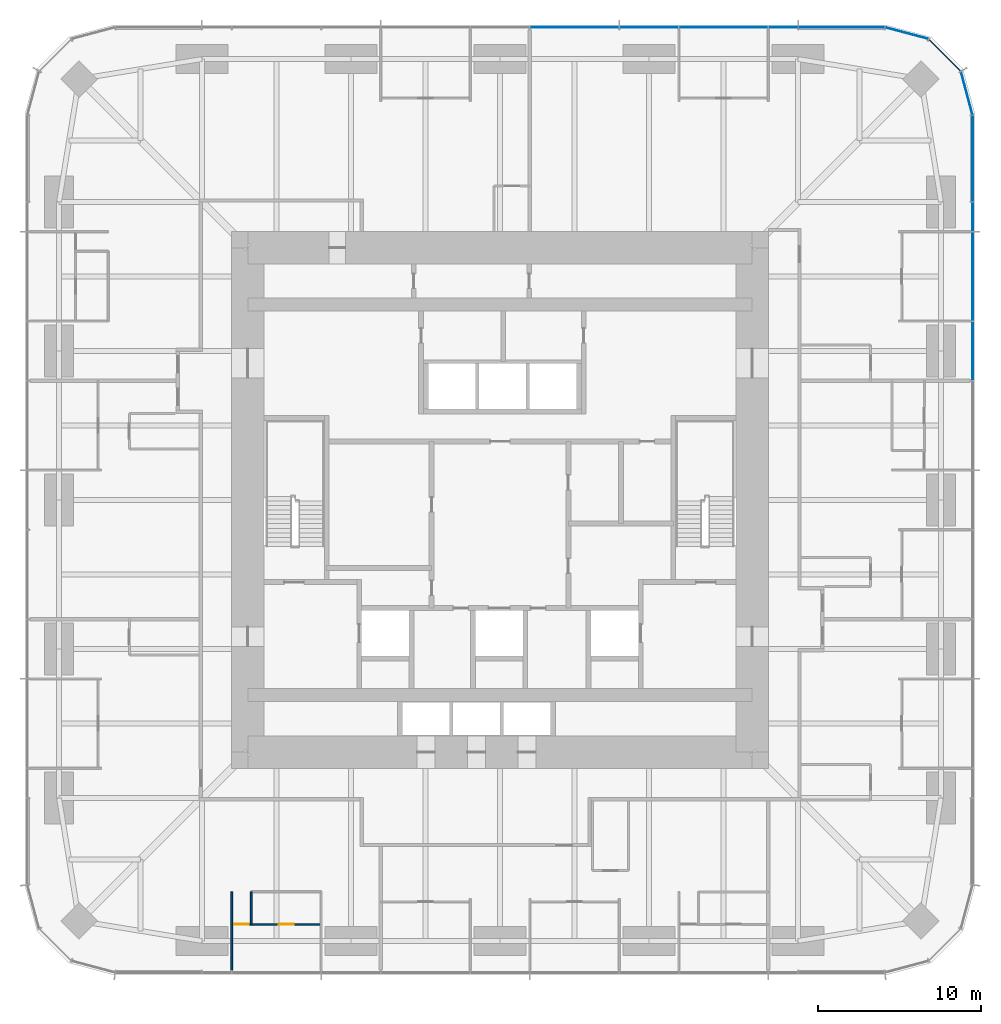
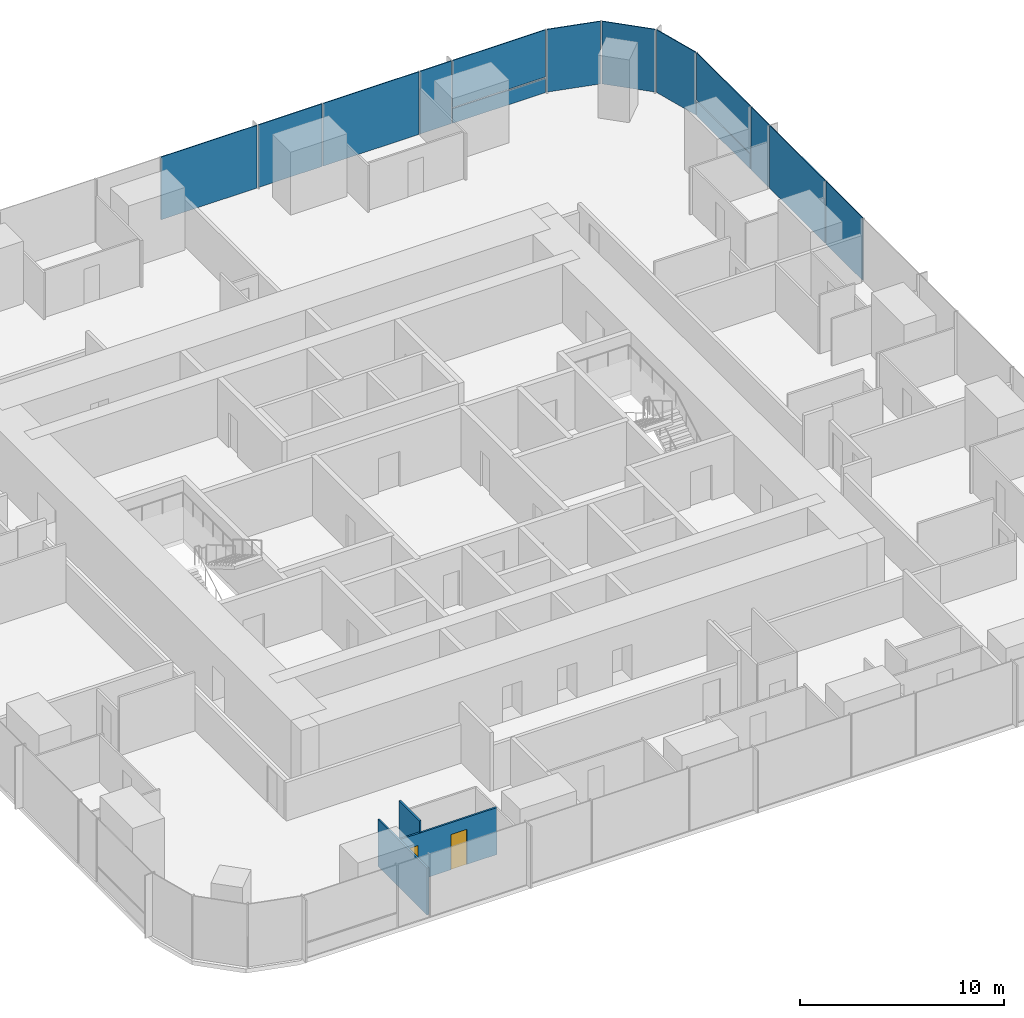
# One storey, part 8 of 13: 14 plates, 3 walls, 2 doors, 2 openings, 3 elements without a shape of their own.
"""IFC4 building model written with IfcOpenShell, lengths in metres."""

import ifcopenshell
import ifcopenshell.guid

model = None  # the IFC model being written
_history = None  # IfcOwnerHistory: only IFC2X3 demands one
_inside = {}  # id of a spatial element -> (the spatial element, [elements in it])
_under = {}  # id of a project, library or spatial element -> (it, [spatial elements below it])
_declared = {}  # id of a project -> (the project, [libraries it declares])
_typed = {}  # id of a type object -> (the type object, [elements of that type])
_made_of = {}  # id of a material, layer set ... -> (it, [elements and type objects made of it])


def new_model(schema):
    """Start an empty IFC model of exactly this schema.

    Asked for "IFC4X3", IfcOpenShell would pick the latest addendum, in which some entities
    have other attributes; the version numbers below select the first issue.
    IFC2X3 requires an IfcOwnerHistory on every rooted entity: one is made here for all.
    """
    global model, _history
    if schema == "IFC4X3":
        model = ifcopenshell.file(schema_version=(4, 3, 0, 0))
    else:
        model = ifcopenshell.file(schema=schema)
    _inside.clear()
    _under.clear()
    _declared.clear()
    _typed.clear()
    _made_of.clear()
    _history = None
    if model.schema == "IFC2X3":
        org = make("IfcOrganization", Name="unknown")
        user = make(
            "IfcPersonAndOrganization",
            ThePerson=make("IfcPerson", FamilyName="unknown"),
            TheOrganization=org,
        )
        app = make(
            "IfcApplication",
            ApplicationDeveloper=org,
            Version="unknown",
            ApplicationFullName="unknown",
            ApplicationIdentifier="unknown",
        )
        _history = make(
            "IfcOwnerHistory",
            OwningUser=user,
            OwningApplication=app,
            ChangeAction="ADDED",
            CreationDate=0,
        )
    return model


def make(cls, **values):
    """One entity of the class cls with the attributes given. An attribute that is None is left unset."""
    return model.create_entity(
        cls, **{name: value for name, value in values.items() if value is not None}
    )


def rooted(cls, **values):
    """An entity with a GlobalId (a new one), such as an element, a storey or a relation."""
    return make(cls, GlobalId=ifcopenshell.guid.new(), OwnerHistory=_history, **values)


def si_unit(unit_type, name, prefix=None):
    """IfcSIUnit, for example si_unit("LENGTHUNIT", "METRE", prefix="MILLI")."""
    return make("IfcSIUnit", UnitType=unit_type, Prefix=prefix, Name=name)


def assignment(units):
    """IfcUnitAssignment: the units of a project."""
    return None if units is None else make("IfcUnitAssignment", Units=units)


def point(xyz):
    """IfcCartesianPoint."""
    return None if xyz is None else make("IfcCartesianPoint", Coordinates=xyz)


def direction(xyz):
    """IfcDirection."""
    return None if xyz is None else make("IfcDirection", DirectionRatios=xyz)


def frame(location, z_axis=None, x_axis=None):
    """IfcAxis2Placement3D, a coordinate frame: its origin and axes. An axis left out is left unset."""
    return make(
        "IfcAxis2Placement3D",
        Location=point(location),
        Axis=direction(z_axis),
        RefDirection=direction(x_axis),
    )


def frame_2d(location, x_axis=None):
    """IfcAxis2Placement2D, a coordinate frame in the plane: its origin and x axis."""
    return make(
        "IfcAxis2Placement2D", Location=point(location), RefDirection=direction(x_axis)
    )


def origin():
    """The frame at (0, 0, 0) with its axes left unset."""
    return frame((0.0, 0.0, 0.0))


def origin_2d():
    """The frame at (0, 0) in the plane with its x axis left unset."""
    return frame_2d((0.0, 0.0))


def place(relative_to, where):
    """IfcLocalPlacement: puts the frame where relative to a parent placement (None: the world)."""
    return make(
        "IfcLocalPlacement", PlacementRelTo=relative_to, RelativePlacement=where
    )


def context(
    kind, dimensions, precision=None, world=None, true_north=None, identifier=None
):
    """IfcGeometricRepresentationContext, for example the 3D "Model" context."""
    return make(
        "IfcGeometricRepresentationContext",
        ContextIdentifier=identifier,
        ContextType=kind,
        CoordinateSpaceDimension=dimensions,
        Precision=precision,
        WorldCoordinateSystem=world,
        TrueNorth=true_north,
    )


def subcontext(parent, identifier, kind, view, scale=None):
    """IfcGeometricRepresentationSubContext, for example "Body" below "Model"."""
    return make(
        "IfcGeometricRepresentationSubContext",
        ContextIdentifier=identifier,
        ContextType=kind,
        ParentContext=parent,
        TargetScale=scale,
        TargetView=view,
    )


def project(units=None, contexts=None):
    """IfcProject with its units and contexts."""
    return rooted(
        "IfcProject",
        Name="project",
        RepresentationContexts=contexts,
        UnitsInContext=assignment(units),
    )


def spatial(cls, under=None, at=None, **own):
    """A site, building, storey or space (cls), placed at a placement, below another one or the project."""
    s = rooted(cls, ObjectPlacement=at, **own)
    if under is not None:
        _under.setdefault(under.id(), (under, []))[1].append(s)
    return s


def profile(cls, at=None, kind="AREA", **sizes):
    """A parametric profile (cls). Its sizes go by their IFC names, for example OverallWidth=200.0."""
    return make(cls, ProfileType=kind, Position=at, **sizes)


def rectangle(**sizes):
    """IfcRectangleProfileDef."""
    return profile("IfcRectangleProfileDef", **sizes)


def extrude(swept, where, along, depth):
    """IfcExtrudedAreaSolid: the profile swept, set in the frame where, extruded along a direction by depth."""
    return make(
        "IfcExtrudedAreaSolid",
        SweptArea=swept,
        Position=where,
        ExtrudedDirection=direction(along),
        Depth=depth,
    )


def shape(context_of_items, identifier, shape_type, items):
    """IfcShapeRepresentation: the items that make up one representation, for example the "Body"."""
    return make(
        "IfcShapeRepresentation",
        ContextOfItems=context_of_items,
        RepresentationIdentifier=identifier,
        RepresentationType=shape_type,
        Items=items,
    )


def material(Name=None, Category=None):
    """IfcMaterial."""
    return make("IfcMaterial", Name=Name, Category=Category)


def layer(
    of_material, thickness, ventilated=None, Name=None, Category=None, Priority=None
):
    """IfcMaterialLayer: one layer of a wall or slab, of a material (None: an air gap)."""
    return make(
        "IfcMaterialLayer",
        Material=of_material,
        LayerThickness=thickness,
        IsVentilated=ventilated,
        Name=Name,
        Category=Category,
        Priority=Priority,
    )


def layer_set(layers, Name=None):
    """IfcMaterialLayerSet."""
    return make("IfcMaterialLayerSet", MaterialLayers=layers, LayerSetName=Name)


def made_of(thing, what):
    """Note that an element or type object is made of a material, layer set ...; save() writes the relation."""
    if what is not None:
        _made_of.setdefault(what.id(), (what, []))[1].append(thing)
    return thing


def type_object(cls, material=None, **own):
    """A type object (cls), such as IfcWallType, which elements share."""
    return made_of(rooted(cls, **own), material)


def element(
    cls,
    number,
    at=None,
    inside=None,
    cuts=None,
    type_object=None,
    material=None,
    context=None,
    identifier="Body",
    shape_type=None,
    held_by="IfcProductDefinitionShape",
    body=None,
    shapes=None,
    **own,
):
    """One element of the class cls, such as IfcWall. Its Tag is "e" and its number.

    at: its placement. inside: the storey or other place that contains it. cuts: it is an
    opening in that element (IfcRelVoidsElement). A single representation is given by context,
    identifier, shape_type and body (its items); several are given by shapes. held_by: the class
    of the entity that holds the representations. save() writes the other relations.
    """
    e = rooted(cls, Tag="e%d" % number, ObjectPlacement=at, **own)
    if body is not None:
        shapes = [shape(context, identifier, shape_type, body)]
    if shapes is not None:
        e.Representation = make(held_by, Representations=shapes)
    if inside is not None:
        _inside.setdefault(inside.id(), (inside, []))[1].append(e)
    if cuts is not None:
        rooted(
            "IfcRelVoidsElement", RelatingBuildingElement=cuts, RelatedOpeningElement=e
        )
    if type_object is not None:
        _typed.setdefault(type_object.id(), (type_object, []))[1].append(e)
    return made_of(e, material)


def fill(opening, filler):
    """IfcRelFillsElement: the door or window that sits in an opening."""
    return rooted(
        "IfcRelFillsElement",
        RelatingOpeningElement=opening,
        RelatedBuildingElement=filler,
    )


def aggregate(whole, parts):
    """IfcRelAggregates: a whole, such as a stair, and the parts it consists of."""
    return rooted("IfcRelAggregates", RelatingObject=whole, RelatedObjects=parts)


def save(model, path):
    """Write the relations noted so far, then the file.

    IfcRelAggregates (storeys below a building ...), IfcRelContainedInSpatialStructure (elements
    in a storey), IfcRelDefinesByType, IfcRelAssociatesMaterial and IfcRelDeclares: one each for
    every whole, place, type object, material and project.
    """
    for whole, parts in _under.values():
        aggregate(whole, parts)
    for where, things in _inside.values():
        rooted(
            "IfcRelContainedInSpatialStructure",
            RelatedElements=things,
            RelatingStructure=where,
        )
    for kind, things in _typed.values():
        rooted("IfcRelDefinesByType", RelatedObjects=things, RelatingType=kind)
    for what, things in _made_of.values():
        rooted("IfcRelAssociatesMaterial", RelatedObjects=things, RelatingMaterial=what)
    for by, libraries in _declared.values():
        rooted("IfcRelDeclares", RelatingContext=by, RelatedDefinitions=libraries)
    model.write(path)


model = new_model("IFC4")

# Units and contexts
model_context = context("Model", 3, precision=1e-05, world=origin(), true_north=direction((0.0, 1.0)))
body_context = subcontext(model_context, "Body", "Model", "MODEL_VIEW")
ifc_project = project(units=[si_unit("LENGTHUNIT", "METRE"), si_unit("AREAUNIT", "SQUARE_METRE"), si_unit("VOLUMEUNIT", "CUBIC_METRE"), si_unit("PLANEANGLEUNIT", "RADIAN"), si_unit("MASSUNIT", "GRAM", prefix="KILO")], contexts=[model_context])

# Site, building, storey
site_placement = place(None, origin())
site = spatial("IfcSite", under=ifc_project, at=site_placement, CompositionType="ELEMENT")
building_placement = place(site_placement, origin())
building = spatial("IfcBuilding", under=site, at=building_placement, Name="Khuree Lantern Residences", CompositionType="ELEMENT")
storey_placement = place(building_placement, frame((0.0, 0.0, 122.25)))
storey = spatial("IfcBuildingStorey", under=building, at=storey_placement, Name="L30", CompositionType="ELEMENT", Elevation=122.25)

# Curtain wall, plates
ifc_material_1 = material(Name="Bronze anodised aluminium", Category="aluminium")
curtain_wall_type_1 = type_object("IfcCurtainWallType", Name="CW-T2 TOWER CORNER CURTAIN WALL", PredefinedType="USERDEFINED", material=ifc_material_1)
curtain_wall_1_placement = place(storey_placement, origin())
curtain_wall_1 = element("IfcCurtainWall", 1, at=curtain_wall_1_placement, inside=storey, type_object=curtain_wall_type_1, Name="L30 NORTH-EAST CORNER CURTAIN WALL", ObjectType="Faceted corner curtain wall", PredefinedType="USERDEFINED")
ifc_material_2 = material(Name="Bronze tinted triple glazing", Category="glass")
ifc_layer_1 = layer(ifc_material_2, 0.048095703125)
ifc_layer_set_1 = layer_set([ifc_layer_1], Name="FACET PANEL P4")
plate_type_1 = type_object("IfcPlateType", Name="FACET PANEL P4", PredefinedType="CURTAIN_PANEL", material=ifc_layer_set_1)
plate_1_placement = place(storey_placement, frame((28.688720703125, 24.998046875, 0.0), z_axis=(0.0, 0.0, 1.0), x_axis=(-0.258819105321, 0.965925810153, 0.0)))
plate_1 = element("IfcPlate", 2, at=plate_1_placement, type_object=plate_type_1, Name="L30 NORTH-EAST CORNER PANEL 15.1", PredefinedType="CURTAIN_PANEL", context=body_context, shape_type="SweptSolid", body=[
    extrude(rectangle(XDim=2.71923828125, YDim=0.048095703125, at=origin_2d()), origin(), (0.0, 0.0, 1.0), 3.75),
])
plate_2_placement = place(storey_placement, frame((27.33837890625, 27.33837890625, 0.0), z_axis=(0.0, 0.0, 1.0), x_axis=(-0.707106781187, 0.707106781187, 0.0)))
plate_2 = element("IfcPlate", 3, at=plate_2_placement, type_object=plate_type_1, Name="L30 NORTH-EAST CORNER PANEL 16.1", PredefinedType="CURTAIN_PANEL", context=body_context, shape_type="SweptSolid", body=[
    extrude(rectangle(XDim=2.715087890625, YDim=0.048095703125, at=origin_2d()), origin(), (0.0, 0.0, 1.0), 3.75),
])
plate_3_placement = place(storey_placement, frame((24.998046875, 28.688720703125, 0.0), z_axis=(0.0, 0.0, 1.0), x_axis=(-0.965925810153, 0.258819105321, 0.0)))
plate_3 = element("IfcPlate", 4, at=plate_3_placement, type_object=plate_type_1, Name="L30 NORTH-EAST CORNER PANEL 17.1", PredefinedType="CURTAIN_PANEL", context=body_context, shape_type="SweptSolid", body=[
    extrude(rectangle(XDim=2.71923828125, YDim=0.048095703125, at=origin_2d()), origin(), (0.0, 0.0, 1.0), 3.75),
])
aggregate(curtain_wall_1, [plate_1, plate_2, plate_3])

# Curtain wall, plate
curtain_wall_type_2 = type_object("IfcCurtainWallType", Name="CW-T1 TOWER FACE CURTAIN WALL", PredefinedType="USERDEFINED", material=ifc_material_1)
curtain_wall_2_placement = place(storey_placement, origin())
curtain_wall_2 = element("IfcCurtainWall", 5, at=curtain_wall_2_placement, inside=storey, type_object=curtain_wall_type_2, Name="L30 EAST FACE CURTAIN WALL", ObjectType="Stick-built curtain wall", PredefinedType="USERDEFINED")
ifc_material_3 = material(Name="Bronze tinted triple glazing with a ceramic-fritted spandrel band", Category="glass")
ifc_layer_2 = layer(ifc_material_3, 0.048095703125)
ifc_layer_set_2 = layer_set([ifc_layer_2], Name="FIXED LIGHT PANEL P11")
plate_type_2 = type_object("IfcPlateType", Name="FIXED LIGHT PANEL P11", PredefinedType="CURTAIN_PANEL", material=ifc_layer_set_2)
plate_4_placement = place(storey_placement, frame((29.050048828125, 13.739990234375, 0.0), z_axis=(0.0, 0.0, 1.0), x_axis=(0.0, 1.0, 0.0)))
plate_4 = element("IfcPlate", 6, at=plate_4_placement, type_object=plate_type_2, Name="L30 EAST FACE PANEL 12.1", PredefinedType="CURTAIN_PANEL", context=body_context, shape_type="SweptSolid", body=[
    extrude(rectangle(XDim=5.430908203125, YDim=0.048095703125, at=origin_2d()), origin(), (0.0, 0.0, 1.0), 3.75),
])

# Curtain wall, plates
curtain_wall_3_placement = place(storey_placement, origin())
curtain_wall_3 = element("IfcCurtainWall", 7, at=curtain_wall_3_placement, inside=storey, type_object=curtain_wall_type_2, Name="L30 NORTH FACE CURTAIN WALL", ObjectType="Stick-built curtain wall", PredefinedType="USERDEFINED")
plate_5_placement = place(storey_placement, frame((13.739990234375, 29.050048828125, 0.0), z_axis=(0.0, 0.0, 1.0), x_axis=(-1.0, 0.0, 0.0)))
plate_5 = element("IfcPlate", 8, at=plate_5_placement, type_object=plate_type_2, Name="L30 NORTH FACE PANEL 20.1", PredefinedType="CURTAIN_PANEL", context=body_context, shape_type="SweptSolid", body=[
    extrude(rectangle(XDim=5.430908203125, YDim=0.048095703125, at=origin_2d()), origin(), (0.0, 0.0, 1.0), 3.75),
])
plate_6_placement = place(storey_placement, frame((4.580078125, 29.050048828125, 0.0), z_axis=(0.0, 0.0, 1.0), x_axis=(-1.0, 0.0, 0.0)))
plate_6 = element("IfcPlate", 9, at=plate_6_placement, type_object=plate_type_2, Name="L30 NORTH FACE PANEL 22.1", PredefinedType="CURTAIN_PANEL", context=body_context, shape_type="SweptSolid", body=[
    extrude(rectangle(XDim=5.430908203125, YDim=0.048095703125, at=origin_2d()), origin(), (0.0, 0.0, 1.0), 3.75),
])

# Plate
ifc_material_4 = material(Name="Bronze tinted triple glazing, two aluminium-framed sashes in one frame", Category="aluminium")
ifc_layer_3 = layer(ifc_material_4, 0.048095703125)
ifc_layer_set_3 = layer_set([ifc_layer_3], Name="SASH PAIR PANEL P12")
plate_type_3 = type_object("IfcPlateType", Name="SASH PAIR PANEL P12", PredefinedType="CURTAIN_PANEL", material=ifc_layer_set_3)
plate_7_placement = place(storey_placement, frame((29.050048828125, 9.159912109375, 0.0), z_axis=(0.0, 0.0, 1.0), x_axis=(0.0, 1.0, 0.0)))
plate_7 = element("IfcPlate", 10, at=plate_7_placement, type_object=plate_type_3, Name="L30 EAST FACE PANEL 11.1", PredefinedType="CURTAIN_PANEL", context=body_context, shape_type="SweptSolid", body=[
    extrude(rectangle(XDim=3.59912109375, YDim=0.048095703125, at=origin_2d()), origin(), (0.0, 0.0, 1.0), 3.75),
])

plate_8_placement = place(storey_placement, frame((9.159912109375, 29.050048828125, 0.0), z_axis=(0.0, 0.0, 1.0), x_axis=(-1.0, 0.0, 0.0)))
plate_8 = element("IfcPlate", 11, at=plate_8_placement, type_object=plate_type_3, Name="L30 NORTH FACE PANEL 21.1", PredefinedType="CURTAIN_PANEL", context=body_context, shape_type="SweptSolid", body=[
    extrude(rectangle(XDim=3.59912109375, YDim=0.048095703125, at=origin_2d()), origin(), (0.0, 0.0, 1.0), 3.75),
])

ifc_material_5 = material(Name="Bronze tinted triple glazing, aluminium-framed sash", Category="aluminium")
ifc_layer_4 = layer(ifc_material_5, 0.048095703125)
ifc_layer_set_4 = layer_set([ifc_layer_4], Name="SASH PANEL P3")
plate_type_4 = type_object("IfcPlateType", Name="SASH PANEL P3", PredefinedType="CURTAIN_PANEL", material=ifc_layer_set_4)
plate_9_placement = place(storey_placement, frame((29.050048828125, 17.404052734375, 0.0), z_axis=(0.0, 0.0, 1.0), x_axis=(0.0, 1.0, 0.0)))
plate_9 = element("IfcPlate", 12, at=plate_9_placement, type_object=plate_type_4, Name="L30 EAST FACE PANEL 13.1", PredefinedType="CURTAIN_PANEL", context=body_context, shape_type="SweptSolid", body=[
    extrude(rectangle(XDim=1.76708984375, YDim=0.048095703125, at=origin_2d()), origin(), (0.0, 0.0, 1.0), 3.75),
])

plate_10_placement = place(storey_placement, frame((17.404052734375, 29.050048828125, 0.0), z_axis=(0.0, 0.0, 1.0), x_axis=(-1.0, 0.0, 0.0)))
plate_10 = element("IfcPlate", 13, at=plate_10_placement, type_object=plate_type_4, Name="L30 NORTH FACE PANEL 19.1", PredefinedType="CURTAIN_PANEL", context=body_context, shape_type="SweptSolid", body=[
    extrude(rectangle(XDim=1.76708984375, YDim=0.048095703125, at=origin_2d()), origin(), (0.0, 0.0, 1.0), 3.75),
])

ifc_material_6 = material(Name="Bronze anodised aluminium insulated spandrel", Category="aluminium")
ifc_layer_5 = layer(ifc_material_6, 0.06005859375)
ifc_layer_set_5 = layer_set([ifc_layer_5], Name="SPANDREL PANEL P2")
plate_type_5 = type_object("IfcPlateType", Name="SPANDREL PANEL P2", PredefinedType="CURTAIN_PANEL", material=ifc_layer_set_5)
plate_11_placement = place(storey_placement, frame((29.050048828125, 20.98291015625, 0.0), z_axis=(0.0, 0.0, 1.0), x_axis=(0.0, 1.0, 0.0)))
plate_11 = element("IfcPlate", 14, at=plate_11_placement, type_object=plate_type_5, Name="L30 EAST FACE PANEL 14.1", PredefinedType="CURTAIN_PANEL", context=body_context, shape_type="SweptSolid", body=[
    extrude(rectangle(XDim=5.2607421875, YDim=0.06005859375, at=origin_2d()), origin(), (0.0, 0.0, 1.0), 0.867431640625),
])

plate_12_placement = place(storey_placement, frame((20.98291015625, 29.050048828125, 0.0), z_axis=(0.0, 0.0, 1.0), x_axis=(-1.0, 0.0, 0.0)))
plate_12 = element("IfcPlate", 15, at=plate_12_placement, type_object=plate_type_5, Name="L30 NORTH FACE PANEL 18.1", PredefinedType="CURTAIN_PANEL", context=body_context, shape_type="SweptSolid", body=[
    extrude(rectangle(XDim=5.2607421875, YDim=0.06005859375, at=origin_2d()), origin(), (0.0, 0.0, 1.0), 0.867431640625),
])

ifc_layer_6 = layer(ifc_material_2, 0.048095703125)
ifc_layer_set_6 = layer_set([ifc_layer_6], Name="VISION PANEL P1")
plate_type_6 = type_object("IfcPlateType", Name="VISION PANEL P1", PredefinedType="CURTAIN_PANEL", material=ifc_layer_set_6)
plate_13_placement = place(storey_placement, frame((29.050048828125, 20.9833984375, 0.9326171875), z_axis=(0.0, 0.0, 1.0), x_axis=(0.0, 1.0, 0.0)))
plate_13 = element("IfcPlate", 16, at=plate_13_placement, type_object=plate_type_6, Name="L30 EAST FACE PANEL 14.2", PredefinedType="CURTAIN_PANEL", context=body_context, shape_type="SweptSolid", body=[
    extrude(rectangle(XDim=5.261474609375, YDim=0.048095703125, at=origin_2d()), origin(), (0.0, 0.0, 1.0), 2.8173828125),
])

aggregate(curtain_wall_2, [plate_7, plate_4, plate_9, plate_11, plate_13])

plate_14_placement = place(storey_placement, frame((20.9833984375, 29.050048828125, 0.9326171875), z_axis=(0.0, 0.0, 1.0), x_axis=(-1.0, 0.0, 0.0)))
plate_14 = element("IfcPlate", 17, at=plate_14_placement, type_object=plate_type_6, Name="L30 NORTH FACE PANEL 18.2", PredefinedType="CURTAIN_PANEL", context=body_context, shape_type="SweptSolid", body=[
    extrude(rectangle(XDim=5.261474609375, YDim=0.048095703125, at=origin_2d()), origin(), (0.0, 0.0, 1.0), 2.8173828125),
])

aggregate(curtain_wall_3, [plate_12, plate_14, plate_10, plate_5, plate_8, plate_6])

# Wall
ifc_material_7 = material(Name="Gypsum board on steel studs", Category="steel")
ifc_layer_7 = layer(ifc_material_7, 0.10009765625)
ifc_layer_set_7 = layer_set([ifc_layer_7], Name="PARTITION PT100")
wall_type = type_object("IfcWallType", Name="PARTITION PT100", PredefinedType="PARTITIONING", material=ifc_layer_set_7)
wall_1_placement = place(storey_placement, frame((-16.488037109375, -24.079833984375, 0.0), z_axis=(0.0, 0.0, 1.0), x_axis=(0.0, -1.0, 0.0)))
element("IfcWall", 18, at=wall_1_placement, inside=storey, type_object=wall_type, Name="L30 PARTITION 05", PredefinedType="PARTITIONING", context=body_context, shape_type="SweptSolid", body=[
    extrude(rectangle(XDim=4.820068359375, YDim=0.10009765625, at=frame_2d((2.41015625, 0.0))), origin(), (0.0, 0.0, 1.0), 2.81005859375),
])

# Wall, openings, doors
wall_2_placement = place(storey_placement, frame((-16.488037109375, -26.079833984375, 0.0), z_axis=(0.0, 0.0, 1.0), x_axis=(1.0, 0.0, 0.0)))
wall_2 = element("IfcWall", 19, at=wall_2_placement, inside=storey, type_object=wall_type, Name="L30 PARTITION 05", PredefinedType="PARTITIONING", context=body_context, shape_type="SweptSolid", body=[
    extrude(rectangle(XDim=5.49609375, YDim=0.10009765625, at=frame_2d((2.748046875, 0.0))), origin(), (0.0, 0.0, 1.0), 2.81005859375),
])
opening_1_placement = place(wall_2_placement, frame((0.14990234375, 0.0, 0.0)))
opening_1 = element("IfcOpeningElement", 20, at=opening_1_placement, cuts=wall_2, Name="Opening 30-044", PredefinedType="OPENING", context=body_context, shape_type="SweptSolid", body=[
    extrude(rectangle(XDim=0.89990234375, YDim=2.10009765625, at=frame_2d((0.449951171875, 1.050048828125))), frame((0.0, 0.06005859375, 0.0), z_axis=(0.0, -1.0, 0.0), x_axis=(1.0, 0.0, 0.0)), (0.0, 0.0, 1.0), 0.1201171875),
])
opening_2_placement = place(wall_2_placement, frame((2.89794921875, 0.0, 0.0)))
opening_2 = element("IfcOpeningElement", 21, at=opening_2_placement, cuts=wall_2, Name="Opening 30-045", PredefinedType="OPENING", context=body_context, shape_type="SweptSolid", body=[
    extrude(rectangle(XDim=0.89990234375, YDim=2.10009765625, at=frame_2d((0.449951171875, 1.050048828125))), frame((0.0, 0.06005859375, 0.0), z_axis=(0.0, -1.0, 0.0), x_axis=(1.0, 0.0, 0.0)), (0.0, 0.0, 1.0), 0.1201171875),
])
ifc_material_8 = material(Name="Timber door leaf in hardwood frame", Category="wood")
door_type_1 = type_object("IfcDoorType", Name="BEDROOM DOOR 900X2100", OperationType="SINGLE_SWING_LEFT", PredefinedType="DOOR", material=ifc_material_8)
door_1_placement = place(opening_1_placement, origin())
door_1 = element("IfcDoor", 22, at=door_1_placement, inside=storey, type_object=door_type_1, Name="Bedroom door 30-044", OperationType="SINGLE_SWING_LEFT", OverallHeight=2.10009765625, OverallWidth=0.89990234375, PredefinedType="DOOR", context=body_context, shape_type="SweptSolid", body=[
    extrude(rectangle(XDim=0.89990234375, YDim=2.10009765625, at=frame_2d((0.449951171875, 1.050048828125))), frame((0.0, 0.02490234375, 0.0), z_axis=(0.0, -1.0, 0.0), x_axis=(1.0, 0.0, 0.0)), (0.0, 0.0, 1.0), 0.050048828125),
])
fill(opening_1, door_1)
door_type_2 = type_object("IfcDoorType", Name="DOOR 900X2100", OperationType="SINGLE_SWING_LEFT", PredefinedType="DOOR", material=ifc_material_8)
door_2_placement = place(opening_2_placement, origin())
door_2 = element("IfcDoor", 23, at=door_2_placement, inside=storey, type_object=door_type_2, Name="Wardrobe door 30-045", OperationType="SINGLE_SWING_LEFT", OverallHeight=2.10009765625, OverallWidth=0.89990234375, PredefinedType="DOOR", context=body_context, shape_type="SweptSolid", body=[
    extrude(rectangle(XDim=0.89990234375, YDim=2.10009765625, at=frame_2d((0.449951171875, 1.050048828125))), frame((0.0, 0.02490234375, 0.0), z_axis=(0.0, -1.0, 0.0), x_axis=(1.0, 0.0, 0.0)), (0.0, 0.0, 1.0), 0.050048828125),
])
fill(opening_2, door_2)

# Wall
wall_3_placement = place(storey_placement, frame((-15.2880859375, -24.079833984375, 0.0), z_axis=(0.0, 0.0, 1.0), x_axis=(0.0, -1.0, 0.0)))
element("IfcWall", 24, at=wall_3_placement, inside=storey, type_object=wall_type, Name="L30 PARTITION 05", PredefinedType="PARTITIONING", context=body_context, shape_type="SweptSolid", body=[
    extrude(rectangle(XDim=2.0, YDim=0.10009765625, at=frame_2d((1.0, 0.0))), origin(), (0.0, 0.0, 1.0), 3.5),
])

save(model, "model.ifc")
